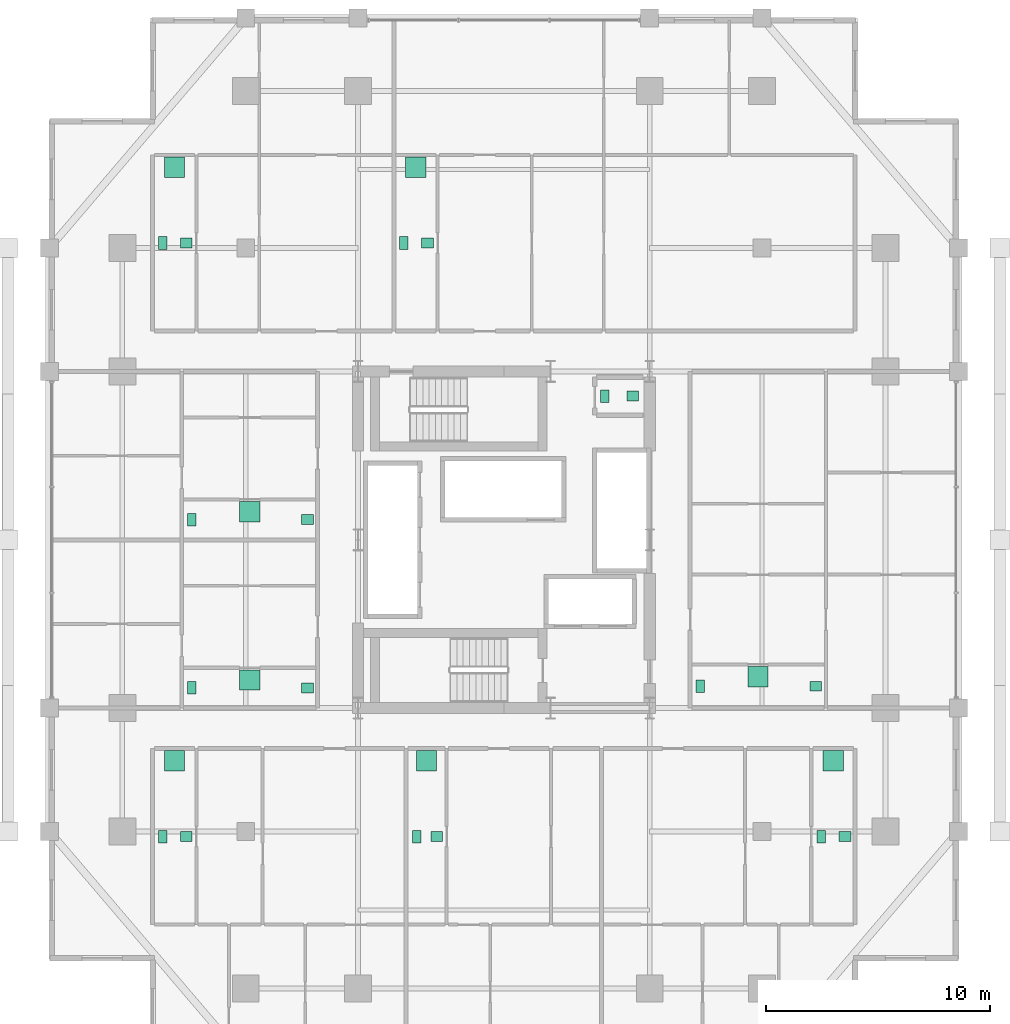
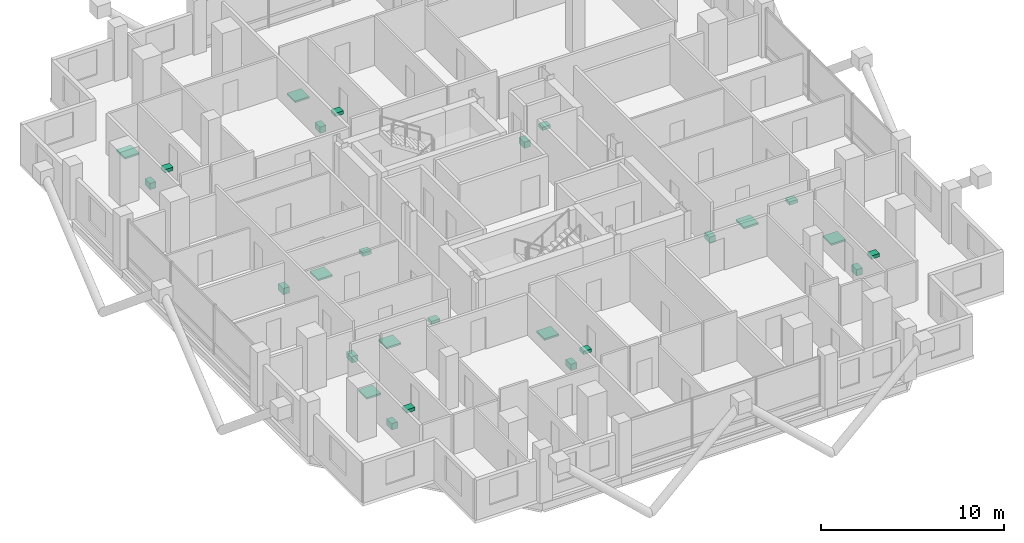
# One storey, part 23 of 23: 26 sanitary terminals.
"""IFC4 building model written with IfcOpenShell, lengths in metres."""

from ifc_helpers import new_model, si_unit, direction, frame, origin, origin_2d, place, context, subcontext, project, spatial, rectangle, extrude, material, type_object, element, save


model = new_model("IFC4")

# Units and contexts
model_context = context("Model", 3, precision=1e-05, world=origin(), true_north=direction((0.0, 1.0)))
body_context = subcontext(model_context, "Body", "Model", "MODEL_VIEW")
ifc_project = project(units=[si_unit("LENGTHUNIT", "METRE"), si_unit("AREAUNIT", "SQUARE_METRE"), si_unit("VOLUMEUNIT", "CUBIC_METRE"), si_unit("PLANEANGLEUNIT", "RADIAN"), si_unit("MASSUNIT", "GRAM", prefix="KILO")], contexts=[model_context])

# Site, building, storey
site_placement = place(None, origin())
site = spatial("IfcSite", under=ifc_project, at=site_placement, CompositionType="ELEMENT")
building_placement = place(site_placement, origin())
building = spatial("IfcBuilding", under=site, at=building_placement, Name="Barlavira Tower and Art Museum", CompositionType="ELEMENT")
storey_placement = place(building_placement, frame((0.0, 0.0, 117.0)))
storey = spatial("IfcBuildingStorey", under=building, at=storey_placement, Name="L29", CompositionType="ELEMENT", Elevation=117.0)

# Sanitary terminals
ifc_material = material(Name="Vitreous glazed ceramic", Category="ceramic")
sanitary_terminal_type_1 = type_object("IfcSanitaryTerminalType", Name="Countertop Ceramic Wash Hand Basin", PredefinedType="WASHHANDBASIN", material=ifc_material)
for number, where, z_axis, x_axis, name in (
    (1, (5.75, 6.39990234375, 0.740234375), (0.0, 0.0, 1.0), (1.0, 0.0, 0.0), "L29-C-AWC4 Wash Basin"),
    (2, (-14.14990234375, -13.22509765625, 0.740234375), (0.0, 0.0, 1.0), (1.0, 0.0, 0.0), "L29-S1-BTH1 Wash Basin"),
    (3, (-2.989990234375, -13.22509765625, 0.740234375), (0.0, 0.0, 1.0), (1.0, 0.0, 0.0), "L29-S2-BTH1 Wash Basin"),
    (4, (15.199951171875, -13.22509765625, 0.740234375), (0.0, 0.0, 1.0), (1.0, 0.0, 0.0), "L29-S3-BTH1 Wash Basin"),
    (5, (-14.14990234375, 13.22509765625, 0.740234375), (0.0, 0.0, 1.0), (1.0, 0.0, 0.0), "L29-N1-BTH1 Wash Basin"),
    (6, (-3.39990234375, 13.22509765625, 0.740234375), (0.0, 0.0, 1.0), (1.0, 0.0, 0.0), "L29-N2-BTH1 Wash Basin"),
    (7, (-8.75, -6.60009765625, 0.740234375), (0.0, 0.0, 1.0), (1.0, 0.0, 0.0), "L29-W1-BTH1 Wash Basin"),
    (8, (-8.75, 0.89990234375, 0.740234375), (0.0, 0.0, 1.0), (1.0, 0.0, 0.0), "L29-W2-BTH1 Wash Basin"),
    (9, (13.89990234375, -6.52490234375, 0.740234375), (0.0, 0.0, 1.0), (1.0, 0.0, 0.0), "L29-E1-BTH1 Wash Basin"),
):
    element("IfcSanitaryTerminal", number, at=place(storey_placement, frame(where, z_axis=z_axis, x_axis=x_axis)), inside=storey, type_object=sanitary_terminal_type_1, Name=name, PredefinedType="WASHHANDBASIN", context=body_context, shape_type="SweptSolid", body=[
        extrude(rectangle(XDim=0.52001953125, YDim=0.43994140625, at=origin_2d()), origin(), (0.0, 0.0, 1.0), 0.219970703125),
    ])
sanitary_terminal_type_2 = type_object("IfcSanitaryTerminalType", Name="Walk-In Thermostatic Rain Shower Unit", PredefinedType="SHOWER", material=ifc_material)
for number, where, z_axis, x_axis, name in (
    (10, (-14.675048828125, -9.85009765625, 0.0), (0.0, 0.0, 1.0), (1.0, 0.0, 0.0), "L29-S1-BTH1 Rain Shower"),
    (11, (-3.43994140625, -9.85009765625, 0.0), (0.0, 0.0, 1.0), (1.0, 0.0, 0.0), "L29-S2-BTH1 Rain Shower"),
    (12, (14.675048828125, -9.85009765625, 0.0), (0.0, 0.0, 1.0), (1.0, 0.0, 0.0), "L29-S3-BTH1 Rain Shower"),
    (13, (-14.675048828125, 16.60009765625, 0.0), (0.0, 0.0, 1.0), (1.0, 0.0, 0.0), "L29-N1-BTH1 Rain Shower"),
    (14, (-3.925048828125, 16.60009765625, 0.0), (0.0, 0.0, 1.0), (1.0, 0.0, 0.0), "L29-N2-BTH1 Rain Shower"),
    (15, (-11.324951171875, -6.25, 0.0), (0.0, 0.0, 1.0), (1.0, 0.0, 0.0), "L29-W1-BTH1 Rain Shower"),
    (16, (-11.324951171875, 1.25, 0.0), (0.0, 0.0, 1.0), (1.0, 0.0, 0.0), "L29-W2-BTH1 Rain Shower"),
    (17, (11.324951171875, -6.10009765625, 0.0), (0.0, 0.0, 1.0), (1.0, 0.0, 0.0), "L29-E1-BTH1 Rain Shower"),
):
    element("IfcSanitaryTerminal", number, at=place(storey_placement, frame(where, z_axis=z_axis, x_axis=x_axis)), inside=storey, type_object=sanitary_terminal_type_2, Name=name, PredefinedType="SHOWER", context=body_context, shape_type="SweptSolid", body=[
        extrude(rectangle(XDim=0.89990234375, YDim=0.89990234375, at=origin_2d()), origin(), (0.0, 0.0, 1.0), 0.1201171875),
    ])
sanitary_terminal_type_3 = type_object("IfcSanitaryTerminalType", Name="Wall-Hung Dual-Flush Vitreous WC Pan", PredefinedType="TOILETPAN", material=ifc_material)
for number, where, z_axis, x_axis, name in (
    (18, (4.5, 6.39990234375, 0.0), (0.0, 0.0, 1.0), (1.0, 0.0, 0.0), "L29-C-AWC4 WC Pan"),
    (19, (-15.199951171875, -13.22509765625, 0.0), (0.0, 0.0, 1.0), (1.0, 0.0, 0.0), "L29-S1-BTH1 WC Pan"),
    (20, (-3.889892578125, -13.22509765625, 0.0), (0.0, 0.0, 1.0), (1.0, 0.0, 0.0), "L29-S2-BTH1 WC Pan"),
    (21, (14.14990234375, -13.22509765625, 0.0), (0.0, 0.0, 1.0), (1.0, 0.0, 0.0), "L29-S3-BTH1 WC Pan"),
    (22, (-15.199951171875, 13.22509765625, 0.0), (0.0, 0.0, 1.0), (1.0, 0.0, 0.0), "L29-N1-BTH1 WC Pan"),
    (23, (-4.449951171875, 13.22509765625, 0.0), (0.0, 0.0, 1.0), (1.0, 0.0, 0.0), "L29-N2-BTH1 WC Pan"),
    (24, (-13.89990234375, -6.60009765625, 0.0), (0.0, 0.0, 1.0), (1.0, 0.0, 0.0), "L29-W1-BTH1 WC Pan"),
    (25, (-13.89990234375, 0.89990234375, 0.0), (0.0, 0.0, 1.0), (1.0, 0.0, 0.0), "L29-W2-BTH1 WC Pan"),
    (26, (8.75, -6.52490234375, 0.0), (0.0, 0.0, 1.0), (1.0, 0.0, 0.0), "L29-E1-BTH1 WC Pan"),
):
    element("IfcSanitaryTerminal", number, at=place(storey_placement, frame(where, z_axis=z_axis, x_axis=x_axis)), inside=storey, type_object=sanitary_terminal_type_3, Name=name, PredefinedType="TOILETPAN", context=body_context, shape_type="SweptSolid", body=[
        extrude(rectangle(XDim=0.3798828125, YDim=0.56005859375, at=origin_2d()), origin(), (0.0, 0.0, 1.0), 0.419921875),
    ])

save(model, "model.ifc")
